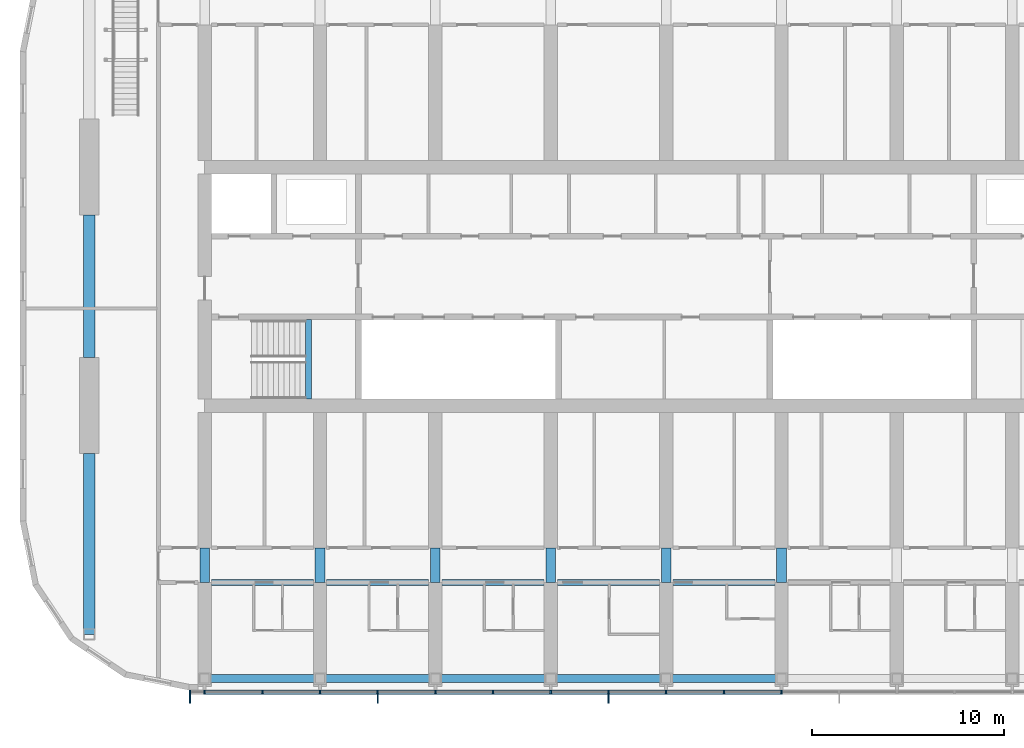
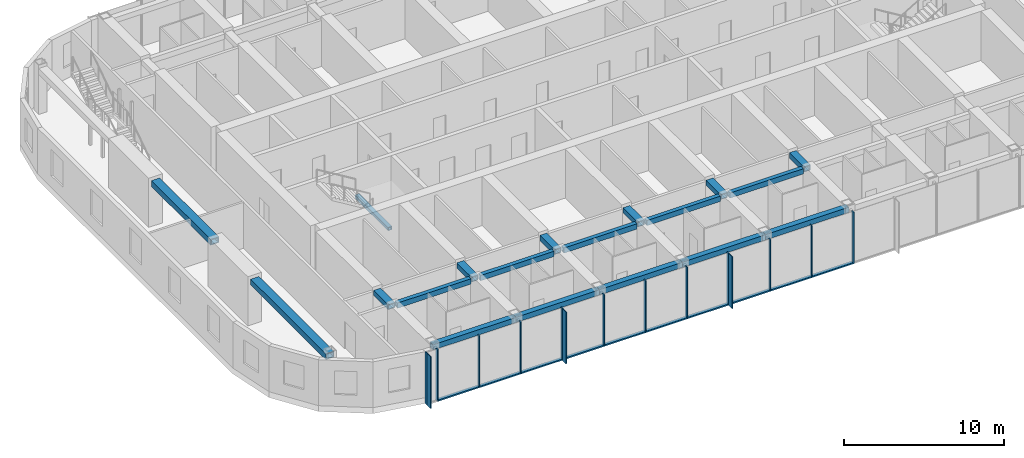
# One storey, part 4 of 27: 25 members, 19 beams, 1 element without a shape of its own.
"""IFC4 building model written with IfcOpenShell, lengths in metres."""

from ifc_helpers import new_model, si_unit, direction, frame, origin, origin_2d, place, context, subcontext, project, spatial, rectangle, hollow_rectangle, extrude, material, material_profile, profile_set, type_object, element, aggregate, save


model = new_model("IFC4")

# Units and contexts
model_context = context("Model", 3, precision=1e-05, world=origin(), true_north=direction((0.0, 1.0)))
body_context = subcontext(model_context, "Body", "Model", "MODEL_VIEW")
ifc_project = project(units=[si_unit("LENGTHUNIT", "METRE"), si_unit("AREAUNIT", "SQUARE_METRE"), si_unit("VOLUMEUNIT", "CUBIC_METRE"), si_unit("PLANEANGLEUNIT", "RADIAN"), si_unit("MASSUNIT", "GRAM", prefix="KILO")], contexts=[model_context])

# Site, building, storey
site_placement = place(None, origin())
site = spatial("IfcSite", under=ifc_project, at=site_placement, CompositionType="ELEMENT")
building_placement = place(site_placement, origin())
building = spatial("IfcBuilding", under=site, at=building_placement, Name="Orbita Commons", CompositionType="ELEMENT")
storey_placement = place(building_placement, frame((0.0, 0.0, 246.550048828125)))
storey = spatial("IfcBuildingStorey", under=building, at=storey_placement, Name="L61", CompositionType="ELEMENT", Elevation=246.550048828125)

# Curtain wall, members
ifc_material_1 = material(Name="Anodised aluminium frame, pale silver", Category="aluminium")
curtain_wall_type = type_object("IfcCurtainWallType", Name="Unitised curtain wall CW-U, full-height vision", PredefinedType="NOTDEFINED", material=ifc_material_1)
curtain_wall_placement = place(storey_placement, origin())
curtain_wall = element("IfcCurtainWall", 1, at=curtain_wall_placement, inside=storey, type_object=curtain_wall_type, Name="Curtain wall south L61", PredefinedType="NOTDEFINED")
ifc_material_2 = material(Name="Anodised aluminium, pale silver", Category="aluminium")
ifc_material_profile_1 = material_profile(ifc_material_2, rectangle(XDim=0.080078125, YDim=0.219970703125, at=origin_2d()), Name="AL 80x220")
ifc_profile_set_1 = profile_set([ifc_material_profile_1], Name="Anodised aluminium, pale silver")
member_type_1 = type_object("IfcMemberType", Name="Curtain wall mullion 80x220", PredefinedType="MULLION", material=ifc_profile_set_1)
member_1_placement = place(storey_placement, frame((17.239990234375, 10.889892578125, -0.449951171875), z_axis=(0.0, 0.0, 1.0), x_axis=(1.0, 0.0, 0.0)))
member_1 = element("IfcMember", 2, at=member_1_placement, type_object=member_type_1, Name="Mullion 1 CW-L61-S", PredefinedType="MULLION", context=body_context, shape_type="SweptSolid", body=[
    extrude(rectangle(XDim=0.080078125, YDim=0.219970703125, at=origin_2d()), origin(), (0.0, 0.0, 1.0), 3.949951171875),
])
member_2_placement = place(storey_placement, frame((18.0, 10.889892578125, -0.449951171875), z_axis=(0.0, 0.0, 1.0), x_axis=(1.0, 0.0, 0.0)))
member_2 = element("IfcMember", 3, at=member_2_placement, type_object=member_type_1, Name="Mullion 2 CW-L61-S", PredefinedType="MULLION", context=body_context, shape_type="SweptSolid", body=[
    extrude(rectangle(XDim=0.080078125, YDim=0.219970703125, at=origin_2d()), origin(), (0.0, 0.0, 1.0), 3.949951171875),
])
member_3_placement = place(storey_placement, frame((21.0, 10.889892578125, -0.449951171875), z_axis=(0.0, 0.0, 1.0), x_axis=(1.0, 0.0, 0.0)))
member_3 = element("IfcMember", 4, at=member_3_placement, type_object=member_type_1, Name="Mullion 3 CW-L61-S", PredefinedType="MULLION", context=body_context, shape_type="SweptSolid", body=[
    extrude(rectangle(XDim=0.080078125, YDim=0.219970703125, at=origin_2d()), origin(), (0.0, 0.0, 1.0), 3.949951171875),
])
member_4_placement = place(storey_placement, frame((24.0, 10.889892578125, -0.449951171875), z_axis=(0.0, 0.0, 1.0), x_axis=(1.0, 0.0, 0.0)))
member_4 = element("IfcMember", 5, at=member_4_placement, type_object=member_type_1, Name="Mullion 4 CW-L61-S", PredefinedType="MULLION", context=body_context, shape_type="SweptSolid", body=[
    extrude(rectangle(XDim=0.080078125, YDim=0.219970703125, at=origin_2d()), origin(), (0.0, 0.0, 1.0), 3.949951171875),
])
member_5_placement = place(storey_placement, frame((27.0, 10.889892578125, -0.449951171875), z_axis=(0.0, 0.0, 1.0), x_axis=(1.0, 0.0, 0.0)))
member_5 = element("IfcMember", 6, at=member_5_placement, type_object=member_type_1, Name="Mullion 5 CW-L61-S", PredefinedType="MULLION", context=body_context, shape_type="SweptSolid", body=[
    extrude(rectangle(XDim=0.080078125, YDim=0.219970703125, at=origin_2d()), origin(), (0.0, 0.0, 1.0), 3.949951171875),
])
member_6_placement = place(storey_placement, frame((30.0, 10.889892578125, -0.449951171875), z_axis=(0.0, 0.0, 1.0), x_axis=(1.0, 0.0, 0.0)))
member_6 = element("IfcMember", 7, at=member_6_placement, type_object=member_type_1, Name="Mullion 6 CW-L61-S", PredefinedType="MULLION", context=body_context, shape_type="SweptSolid", body=[
    extrude(rectangle(XDim=0.080078125, YDim=0.219970703125, at=origin_2d()), origin(), (0.0, 0.0, 1.0), 3.949951171875),
])
member_7_placement = place(storey_placement, frame((33.0, 10.889892578125, -0.449951171875), z_axis=(0.0, 0.0, 1.0), x_axis=(1.0, 0.0, 0.0)))
member_7 = element("IfcMember", 8, at=member_7_placement, type_object=member_type_1, Name="Mullion 7 CW-L61-S", PredefinedType="MULLION", context=body_context, shape_type="SweptSolid", body=[
    extrude(rectangle(XDim=0.080078125, YDim=0.219970703125, at=origin_2d()), origin(), (0.0, 0.0, 1.0), 3.949951171875),
])
member_8_placement = place(storey_placement, frame((36.0, 10.889892578125, -0.449951171875), z_axis=(0.0, 0.0, 1.0), x_axis=(1.0, 0.0, 0.0)))
member_8 = element("IfcMember", 9, at=member_8_placement, type_object=member_type_1, Name="Mullion 8 CW-L61-S", PredefinedType="MULLION", context=body_context, shape_type="SweptSolid", body=[
    extrude(rectangle(XDim=0.080078125, YDim=0.219970703125, at=origin_2d()), origin(), (0.0, 0.0, 1.0), 3.949951171875),
])
member_9_placement = place(storey_placement, frame((39.0, 10.889892578125, -0.449951171875), z_axis=(0.0, 0.0, 1.0), x_axis=(1.0, 0.0, 0.0)))
member_9 = element("IfcMember", 10, at=member_9_placement, type_object=member_type_1, Name="Mullion 9 CW-L61-S", PredefinedType="MULLION", context=body_context, shape_type="SweptSolid", body=[
    extrude(rectangle(XDim=0.080078125, YDim=0.219970703125, at=origin_2d()), origin(), (0.0, 0.0, 1.0), 3.949951171875),
])
member_10_placement = place(storey_placement, frame((42.0, 10.889892578125, -0.449951171875), z_axis=(0.0, 0.0, 1.0), x_axis=(1.0, 0.0, 0.0)))
member_10 = element("IfcMember", 11, at=member_10_placement, type_object=member_type_1, Name="Mullion 10 CW-L61-S", PredefinedType="MULLION", context=body_context, shape_type="SweptSolid", body=[
    extrude(rectangle(XDim=0.080078125, YDim=0.219970703125, at=origin_2d()), origin(), (0.0, 0.0, 1.0), 3.949951171875),
])
member_11_placement = place(storey_placement, frame((45.0, 10.889892578125, -0.449951171875), z_axis=(0.0, 0.0, 1.0), x_axis=(1.0, 0.0, 0.0)))
member_11 = element("IfcMember", 12, at=member_11_placement, type_object=member_type_1, Name="Mullion 11 CW-L61-S", PredefinedType="MULLION", context=body_context, shape_type="SweptSolid", body=[
    extrude(rectangle(XDim=0.080078125, YDim=0.219970703125, at=origin_2d()), origin(), (0.0, 0.0, 1.0), 3.949951171875),
])
member_12_placement = place(storey_placement, frame((48.0, 10.889892578125, -0.449951171875), z_axis=(0.0, 0.0, 1.0), x_axis=(1.0, 0.0, 0.0)))
member_12 = element("IfcMember", 13, at=member_12_placement, type_object=member_type_1, Name="Mullion 12 CW-L61-S", PredefinedType="MULLION", context=body_context, shape_type="SweptSolid", body=[
    extrude(rectangle(XDim=0.080078125, YDim=0.219970703125, at=origin_2d()), origin(), (0.0, 0.0, 1.0), 3.949951171875),
])
ifc_material_3 = material(Name="Anodised aluminium, pale silver", Category="aluminium")
ifc_material_profile_2 = material_profile(ifc_material_3, rectangle(XDim=0.219970703125, YDim=0.10009765625, at=origin_2d()), Name="AL 220x100")
ifc_profile_set_2 = profile_set([ifc_material_profile_2], Name="Anodised aluminium, pale silver")
member_type_2 = type_object("IfcMemberType", Name="Curtain wall stack transom 220x100", PredefinedType="USERDEFINED", material=ifc_profile_set_2)
member_13_placement = place(storey_placement, frame((18.0400390625, 10.889892578125, -0.400146484375), z_axis=(1.0, 0.0, 0.0), x_axis=(0.0, 1.0, 0.0)))
member_13 = element("IfcMember", 14, at=member_13_placement, type_object=member_type_2, Name="Transom 2.1 CW-L61-S", ObjectType="TRANSOM", PredefinedType="USERDEFINED", context=body_context, shape_type="SweptSolid", body=[
    extrude(rectangle(XDim=0.219970703125, YDim=0.10009765625, at=origin_2d()), origin(), (0.0, 0.0, 1.0), 2.919921875),
])
member_14_placement = place(storey_placement, frame((21.0400390625, 10.889892578125, -0.400146484375), z_axis=(1.0, 0.0, 0.0), x_axis=(0.0, 1.0, 0.0)))
member_14 = element("IfcMember", 15, at=member_14_placement, type_object=member_type_2, Name="Transom 3.1 CW-L61-S", ObjectType="TRANSOM", PredefinedType="USERDEFINED", context=body_context, shape_type="SweptSolid", body=[
    extrude(rectangle(XDim=0.219970703125, YDim=0.10009765625, at=origin_2d()), origin(), (0.0, 0.0, 1.0), 2.919921875),
])
member_15_placement = place(storey_placement, frame((24.0400390625, 10.889892578125, -0.400146484375), z_axis=(1.0, 0.0, 0.0), x_axis=(0.0, 1.0, 0.0)))
member_15 = element("IfcMember", 16, at=member_15_placement, type_object=member_type_2, Name="Transom 4.1 CW-L61-S", ObjectType="TRANSOM", PredefinedType="USERDEFINED", context=body_context, shape_type="SweptSolid", body=[
    extrude(rectangle(XDim=0.219970703125, YDim=0.10009765625, at=origin_2d()), origin(), (0.0, 0.0, 1.0), 2.919921875),
])
member_16_placement = place(storey_placement, frame((27.0400390625, 10.889892578125, -0.400146484375), z_axis=(1.0, 0.0, 0.0), x_axis=(0.0, 1.0, 0.0)))
member_16 = element("IfcMember", 17, at=member_16_placement, type_object=member_type_2, Name="Transom 5.1 CW-L61-S", ObjectType="TRANSOM", PredefinedType="USERDEFINED", context=body_context, shape_type="SweptSolid", body=[
    extrude(rectangle(XDim=0.219970703125, YDim=0.10009765625, at=origin_2d()), origin(), (0.0, 0.0, 1.0), 2.919921875),
])
member_17_placement = place(storey_placement, frame((30.0400390625, 10.889892578125, -0.400146484375), z_axis=(1.0, 0.0, 0.0), x_axis=(0.0, 1.0, 0.0)))
member_17 = element("IfcMember", 18, at=member_17_placement, type_object=member_type_2, Name="Transom 6.1 CW-L61-S", ObjectType="TRANSOM", PredefinedType="USERDEFINED", context=body_context, shape_type="SweptSolid", body=[
    extrude(rectangle(XDim=0.219970703125, YDim=0.10009765625, at=origin_2d()), origin(), (0.0, 0.0, 1.0), 2.919921875),
])
member_18_placement = place(storey_placement, frame((33.0400390625, 10.889892578125, -0.400146484375), z_axis=(1.0, 0.0, 0.0), x_axis=(0.0, 1.0, 0.0)))
member_18 = element("IfcMember", 19, at=member_18_placement, type_object=member_type_2, Name="Transom 7.1 CW-L61-S", ObjectType="TRANSOM", PredefinedType="USERDEFINED", context=body_context, shape_type="SweptSolid", body=[
    extrude(rectangle(XDim=0.219970703125, YDim=0.10009765625, at=origin_2d()), origin(), (0.0, 0.0, 1.0), 2.919921875),
])
member_19_placement = place(storey_placement, frame((36.0400390625, 10.889892578125, -0.400146484375), z_axis=(1.0, 0.0, 0.0), x_axis=(0.0, 1.0, 0.0)))
member_19 = element("IfcMember", 20, at=member_19_placement, type_object=member_type_2, Name="Transom 8.1 CW-L61-S", ObjectType="TRANSOM", PredefinedType="USERDEFINED", context=body_context, shape_type="SweptSolid", body=[
    extrude(rectangle(XDim=0.219970703125, YDim=0.10009765625, at=origin_2d()), origin(), (0.0, 0.0, 1.0), 2.919921875),
])
member_20_placement = place(storey_placement, frame((39.0400390625, 10.889892578125, -0.400146484375), z_axis=(1.0, 0.0, 0.0), x_axis=(0.0, 1.0, 0.0)))
member_20 = element("IfcMember", 21, at=member_20_placement, type_object=member_type_2, Name="Transom 9.1 CW-L61-S", ObjectType="TRANSOM", PredefinedType="USERDEFINED", context=body_context, shape_type="SweptSolid", body=[
    extrude(rectangle(XDim=0.219970703125, YDim=0.10009765625, at=origin_2d()), origin(), (0.0, 0.0, 1.0), 2.919921875),
])
member_21_placement = place(storey_placement, frame((42.0400390625, 10.889892578125, -0.400146484375), z_axis=(1.0, 0.0, 0.0), x_axis=(0.0, 1.0, 0.0)))
member_21 = element("IfcMember", 22, at=member_21_placement, type_object=member_type_2, Name="Transom 10.1 CW-L61-S", ObjectType="TRANSOM", PredefinedType="USERDEFINED", context=body_context, shape_type="SweptSolid", body=[
    extrude(rectangle(XDim=0.219970703125, YDim=0.10009765625, at=origin_2d()), origin(), (0.0, 0.0, 1.0), 2.919921875),
])
member_22_placement = place(storey_placement, frame((45.0400390625, 10.889892578125, -0.400146484375), z_axis=(1.0, 0.0, 0.0), x_axis=(0.0, 1.0, 0.0)))
member_22 = element("IfcMember", 23, at=member_22_placement, type_object=member_type_2, Name="Transom 11.1 CW-L61-S", ObjectType="TRANSOM", PredefinedType="USERDEFINED", context=body_context, shape_type="SweptSolid", body=[
    extrude(rectangle(XDim=0.219970703125, YDim=0.10009765625, at=origin_2d()), origin(), (0.0, 0.0, 1.0), 2.919921875),
])

# Beams
ifc_material_4 = material(Name="Steel ASTM A572 Gr 50 welded plate", Category="steel")
ifc_material_profile_3 = material_profile(ifc_material_4, hollow_rectangle(XDim=0.300048828125, YDim=0.25, WallThickness=0.02490234375, at=origin_2d()), Name="BOX 250x300x25")
ifc_profile_set_3 = profile_set([ifc_material_profile_3], Name="Steel ASTM A572 Gr 50 welded plate")
beam_type_1 = type_object("IfcBeamType", Name="Stair landing beam steel BOX 250x300x25", PredefinedType="BEAM", material=ifc_profile_set_3)
beam_1_placement = place(storey_placement, frame((23.39990234375, 26.135009765625, 1.550048828125), z_axis=(0.0, 1.0, 0.0), x_axis=(-1.0, 0.0, 0.0)))
element("IfcBeam", 24, at=beam_1_placement, inside=storey, type_object=beam_type_1, Name="Stair S1 landing beam L61 1", PredefinedType="BEAM", context=body_context, shape_type="SweptSolid", body=[
    extrude(hollow_rectangle(XDim=0.300048828125, YDim=0.25, WallThickness=0.02490234375, at=origin_2d()), origin(), (0.0, 0.0, 1.0), 4.1298828125),
])
ifc_material_5 = material(Name="Steel ASTM A572 Gr 50 welded plate", Category="steel")
ifc_material_profile_4 = material_profile(ifc_material_5, hollow_rectangle(XDim=0.300048828125, YDim=0.39990234375, WallThickness=0.0400390625, at=origin_2d()), Name="BOX 400x300x40")
ifc_profile_set_4 = profile_set([ifc_material_profile_4], Name="Steel ASTM A572 Gr 50 welded plate")
beam_type_2 = type_object("IfcBeamType", Name="Steel corridor link BOX 400x300x40", PredefinedType="BEAM", material=ifc_profile_set_4)
for number, where, z_axis, x_axis, name in (
    (25, (18.35009765625, 16.60009765625, 3.300048828125), (1.0, 0.0, 0.0), (0.0, 1.0, 0.0), "Corridor beam SA 4-5 L61"),
    (26, (24.35009765625, 16.60009765625, 3.300048828125), (1.0, 0.0, 0.0), (0.0, 1.0, 0.0), "Corridor beam SA 5-6 L61"),
    (27, (30.35009765625, 16.60009765625, 3.300048828125), (1.0, 0.0, 0.0), (0.0, 1.0, 0.0), "Corridor beam SA 6-7 L61"),
    (28, (36.35009765625, 16.60009765625, 3.300048828125), (1.0, 0.0, 0.0), (0.0, 1.0, 0.0), "Corridor beam SA 7-8 L61"),
    (29, (42.35009765625, 16.60009765625, 3.300048828125), (1.0, 0.0, 0.0), (0.0, 1.0, 0.0), "Corridor beam SA 8-9 L61"),
):
    element("IfcBeam", number, at=place(storey_placement, frame(where, z_axis=z_axis, x_axis=x_axis)), inside=storey, type_object=beam_type_2, Name=name, PredefinedType="BEAM", context=body_context, shape_type="SweptSolid", body=[
        extrude(hollow_rectangle(XDim=0.300048828125, YDim=0.39990234375, WallThickness=0.0400390625, at=origin_2d()), origin(), (0.0, 0.0, 1.0), 5.2998046875),
    ])
ifc_material_6 = material(Name="Steel ASTM A572 Gr 50 welded plate", Category="steel")
ifc_material_profile_5 = material_profile(ifc_material_6, hollow_rectangle(XDim=0.5, YDim=0.39990234375, WallThickness=0.050048828125, at=origin_2d()), Name="BOX 400x500x50")
ifc_profile_set_5 = profile_set([ifc_material_profile_5], Name="Steel ASTM A572 Gr 50 welded plate")
beam_type_3 = type_object("IfcBeamType", Name="Steel coupling link BOX 400x500x50", PredefinedType="LINTEL", material=ifc_profile_set_5)
for number, where, z_axis, x_axis, name in (
    (30, (18.0, 16.60009765625, 3.300048828125), (0.0, 1.0, 0.0), (-1.0, 0.0, 0.0), "Coupling beam 4 south L61"),
    (31, (24.0, 16.60009765625, 3.300048828125), (0.0, 1.0, 0.0), (-1.0, 0.0, 0.0), "Coupling beam 5 south L61"),
    (32, (30.0, 16.60009765625, 3.300048828125), (0.0, 1.0, 0.0), (-1.0, 0.0, 0.0), "Coupling beam 6 south L61"),
    (33, (36.0, 16.60009765625, 3.300048828125), (0.0, 1.0, 0.0), (-1.0, 0.0, 0.0), "Coupling beam 7 south L61"),
    (34, (42.0, 16.60009765625, 3.300048828125), (0.0, 1.0, 0.0), (-1.0, 0.0, 0.0), "Coupling beam 8 south L61"),
    (35, (48.0, 16.60009765625, 3.300048828125), (0.0, 1.0, 0.0), (-1.0, 0.0, 0.0), "Coupling beam 9 south L61"),
):
    element("IfcBeam", number, at=place(storey_placement, frame(where, z_axis=z_axis, x_axis=x_axis)), inside=storey, type_object=beam_type_3, Name=name, PredefinedType="LINTEL", context=body_context, shape_type="SweptSolid", body=[
        extrude(hollow_rectangle(XDim=0.5, YDim=0.39990234375, WallThickness=0.050048828125, at=origin_2d()), origin(), (0.0, 0.0, 1.0), 1.7998046875),
    ])
ifc_material_7 = material(Name="Steel ASTM A572 Gr 50 welded plate", Category="steel")
ifc_material_profile_6 = material_profile(ifc_material_7, hollow_rectangle(XDim=0.60009765625, YDim=0.449951171875, WallThickness=0.06005859375, at=origin_2d()), Name="BOX 450x600x60")
ifc_profile_set_6 = profile_set([ifc_material_profile_6], Name="Steel ASTM A572 Gr 50 welded plate")
beam_type_4 = type_object("IfcBeamType", Name="Steel end frame link BOX 450x600x60", PredefinedType="BEAM", material=ifc_profile_set_6)
beam_2_placement = place(storey_placement, frame((12.0, 13.89990234375, 3.27490234375), z_axis=(0.0, 1.0, 0.0), x_axis=(-1.0, 0.0, 0.0)))
element("IfcBeam", 36, at=beam_2_placement, inside=storey, type_object=beam_type_4, Name="End frame beam 3 B-C L61", PredefinedType="BEAM", context=body_context, shape_type="SweptSolid", body=[
    extrude(hollow_rectangle(XDim=0.60009765625, YDim=0.449951171875, WallThickness=0.06005859375, at=origin_2d()), origin(), (0.0, 0.0, 1.0), 9.400146484375),
])
beam_3_placement = place(storey_placement, frame((12.0, 28.300048828125, 3.27490234375), z_axis=(0.0, 1.0, 0.0), x_axis=(-1.0, 0.0, 0.0)))
element("IfcBeam", 37, at=beam_3_placement, inside=storey, type_object=beam_type_4, Name="End frame beam 3 C-D L61", PredefinedType="BEAM", context=body_context, shape_type="SweptSolid", body=[
    extrude(hollow_rectangle(XDim=0.60009765625, YDim=0.449951171875, WallThickness=0.06005859375, at=origin_2d()), origin(), (0.0, 0.0, 1.0), 7.39990234375),
])
ifc_material_8 = material(Name="Steel ASTM A572 Gr 50 welded plate", Category="steel")
ifc_material_profile_7 = material_profile(ifc_material_8, hollow_rectangle(XDim=0.39990234375, YDim=0.39990234375, WallThickness=0.0400390625, at=origin_2d()), Name="BOX 400x400x40")
ifc_profile_set_7 = profile_set([ifc_material_profile_7], Name="Steel ASTM A572 Gr 50 welded plate")
beam_type_5 = type_object("IfcBeamType", Name="Steel spandrel BOX 400x400x40", PredefinedType="SPANDREL", material=ifc_profile_set_7)
for number, where, z_axis, x_axis, name in (
    (38, (18.0, 11.60009765625, 3.300048828125), (1.0, 0.0, 0.0), (0.0, 1.0, 0.0), "Spandrel beam B 4-5 L61"),
    (39, (24.0, 11.60009765625, 3.300048828125), (1.0, 0.0, 0.0), (0.0, 1.0, 0.0), "Spandrel beam B 5-6 L61"),
    (40, (30.0, 11.60009765625, 3.300048828125), (1.0, 0.0, 0.0), (0.0, 1.0, 0.0), "Spandrel beam B 6-7 L61"),
    (41, (36.0, 11.60009765625, 3.300048828125), (1.0, 0.0, 0.0), (0.0, 1.0, 0.0), "Spandrel beam B 7-8 L61"),
    (42, (42.0, 11.60009765625, 3.300048828125), (1.0, 0.0, 0.0), (0.0, 1.0, 0.0), "Spandrel beam B 8-9 L61"),
):
    element("IfcBeam", number, at=place(storey_placement, frame(where, z_axis=z_axis, x_axis=x_axis)), inside=storey, type_object=beam_type_5, Name=name, PredefinedType="SPANDREL", context=body_context, shape_type="SweptSolid", body=[
        extrude(hollow_rectangle(XDim=0.39990234375, YDim=0.39990234375, WallThickness=0.0400390625, at=origin_2d()), origin(), (0.0, 0.0, 1.0), 6.0),
    ])

# Member
ifc_material_9 = material(Name="Anodised aluminium, pale silver", Category="aluminium")
ifc_material_profile_8 = material_profile(ifc_material_9, rectangle(XDim=0.06005859375, YDim=0.449951171875, at=origin_2d()), Name="FIN 60x450")
ifc_profile_set_8 = profile_set([ifc_material_profile_8], Name="Anodised aluminium, pale silver")
member_type_3 = type_object("IfcMemberType", Name="Vertical fin 60x450 pale aluminium", PredefinedType="USERDEFINED", material=ifc_profile_set_8)
member_23_placement = place(storey_placement, frame((17.239990234375, 10.554931640625, -0.449951171875), z_axis=(0.0, 0.0, 1.0), x_axis=(1.0, 0.0, 0.0)))
member_23 = element("IfcMember", 43, at=member_23_placement, type_object=member_type_3, Name="Fin 1 CW-L61-S", ObjectType="FIN", PredefinedType="USERDEFINED", context=body_context, shape_type="SweptSolid", body=[
    extrude(rectangle(XDim=0.06005859375, YDim=0.449951171875, at=origin_2d()), origin(), (0.0, 0.0, 1.0), 3.949951171875),
])

member_24_placement = place(storey_placement, frame((27.0, 10.554931640625, -0.449951171875), z_axis=(0.0, 0.0, 1.0), x_axis=(1.0, 0.0, 0.0)))
member_24 = element("IfcMember", 44, at=member_24_placement, type_object=member_type_3, Name="Fin 5 CW-L61-S", ObjectType="FIN", PredefinedType="USERDEFINED", context=body_context, shape_type="SweptSolid", body=[
    extrude(rectangle(XDim=0.06005859375, YDim=0.449951171875, at=origin_2d()), origin(), (0.0, 0.0, 1.0), 3.949951171875),
])

member_25_placement = place(storey_placement, frame((39.0, 10.554931640625, -0.449951171875), z_axis=(0.0, 0.0, 1.0), x_axis=(1.0, 0.0, 0.0)))
member_25 = element("IfcMember", 45, at=member_25_placement, type_object=member_type_3, Name="Fin 9 CW-L61-S", ObjectType="FIN", PredefinedType="USERDEFINED", context=body_context, shape_type="SweptSolid", body=[
    extrude(rectangle(XDim=0.06005859375, YDim=0.449951171875, at=origin_2d()), origin(), (0.0, 0.0, 1.0), 3.949951171875),
])

aggregate(curtain_wall, [member_1, member_23, member_2, member_3, member_4, member_5, member_24, member_6, member_7, member_8, member_9, member_25, member_10, member_11, member_12, member_13, member_14, member_15, member_16, member_17, member_18, member_19, member_20, member_21, member_22])

save(model, "model.ifc")
